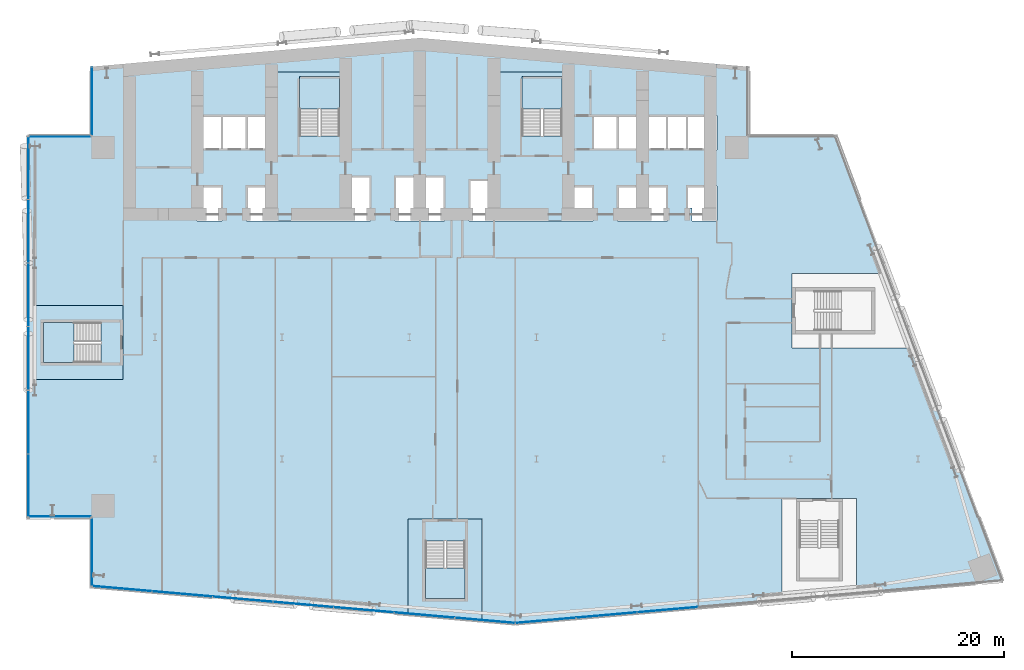
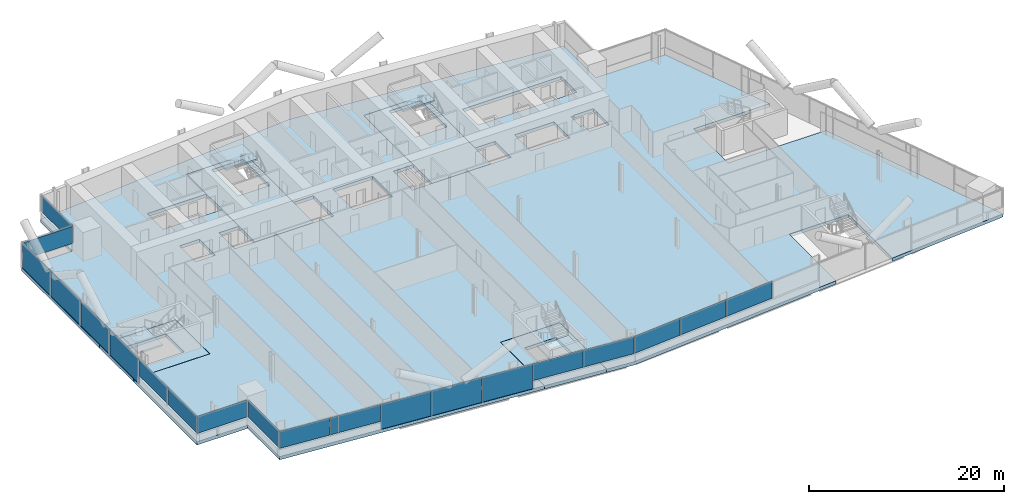
# One storey, part 11 of 25: 20 plates, 9 slabs, 11 elements without a shape of their own.
"""IFC4 building model written with IfcOpenShell, lengths in metres."""

from ifc_helpers import new_model, si_unit, direction, frame, origin, origin_2d, place, context, subcontext, project, spatial, polyline, rectangle, outline, extrude, material, layer, layer_set, type_object, element, aggregate, save


model = new_model("IFC4")

# Units and contexts
model_context = context("Model", 3, precision=1e-05, world=origin(), true_north=direction((0.0, 1.0)))
body_context = subcontext(model_context, "Body", "Model", "MODEL_VIEW")
ifc_project = project(units=[si_unit("LENGTHUNIT", "METRE"), si_unit("AREAUNIT", "SQUARE_METRE"), si_unit("VOLUMEUNIT", "CUBIC_METRE"), si_unit("PLANEANGLEUNIT", "RADIAN"), si_unit("MASSUNIT", "GRAM", prefix="KILO")], contexts=[model_context])

# Site, building, storey
site_placement = place(None, origin())
site = spatial("IfcSite", under=ifc_project, at=site_placement, CompositionType="ELEMENT")
building_placement = place(site_placement, origin())
building = spatial("IfcBuilding", under=site, at=building_placement, Name="Wharfspan Tower", CompositionType="ELEMENT")
storey_placement = place(building_placement, frame((0.0, 0.0, 70.300049)))
storey = spatial("IfcBuildingStorey", under=building, at=storey_placement, Name="L14", CompositionType="ELEMENT", Elevation=70.300049)

# Curtain wall, plates
ifc_material_1 = material(Name="Aluminium 6063-T6", Category="aluminium")
curtain_wall_type_1 = type_object("IfcCurtainWallType", Name="CURTAIN WALL FACETED FRONT", PredefinedType="NOTDEFINED", material=ifc_material_1)
curtain_wall_1_placement = place(storey_placement, origin())
curtain_wall_1 = element("IfcCurtainWall", 1, at=curtain_wall_1_placement, inside=storey, type_object=curtain_wall_type_1, Name="Curtain wall S1", PredefinedType="NOTDEFINED")
ifc_material_2 = material(Name="Glass clear low-iron double glazing", Category="glass")
ifc_layer_1 = layer(ifc_material_2, 0.040039)
ifc_layer_set_1 = layer_set([ifc_layer_1], Name="Glass clear low-iron double glazing")
plate_type_1 = type_object("IfcPlateType", Name="GLASS PANEL FACETED FRONT 40", PredefinedType="CURTAIN_PANEL", material=ifc_layer_set_1)
plate_1_placement = place(storey_placement, frame((8.877197, -0.716553, 1.0), z_axis=(0.0, 0.0, 1.0), x_axis=(0.996197, -0.087156, 0.0)))
plate_1 = element("IfcPlate", 2, at=plate_1_placement, type_object=plate_type_1, Name="Curtain wall S1 panel 1", PredefinedType="CURTAIN_PANEL", context=body_context, shape_type="SweptSolid", body=[
    extrude(rectangle(XDim=5.645996, YDim=0.040039, at=origin_2d()), origin(), (0.0, 0.0, 1.0), 2.120117),
])
plate_2_placement = place(storey_placement, frame((14.57666, -1.215088, 1.0), z_axis=(0.0, 0.0, 1.0), x_axis=(0.996197, -0.087156, 0.0)))
plate_2 = element("IfcPlate", 3, at=plate_2_placement, type_object=plate_type_1, Name="Curtain wall S1 panel 2", PredefinedType="CURTAIN_PANEL", context=body_context, shape_type="SweptSolid", body=[
    extrude(rectangle(XDim=5.676025, YDim=0.040039, at=origin_2d()), origin(), (0.0, 0.0, 1.0), 2.120117),
])
plate_3_placement = place(storey_placement, frame((37.433838, -3.214844, 1.0), z_axis=(0.0, 0.0, 1.0), x_axis=(0.996197, -0.087156, 0.0)))
plate_3 = element("IfcPlate", 4, at=plate_3_placement, type_object=plate_type_1, Name="Curtain wall S1 panel 6", PredefinedType="CURTAIN_PANEL", context=body_context, shape_type="SweptSolid", body=[
    extrude(rectangle(XDim=5.676025, YDim=0.040039, at=origin_2d()), origin(), (0.0, 0.0, 1.0), 2.120117),
])
plate_4_placement = place(storey_placement, frame((43.133057, -3.713379, 1.0), z_axis=(0.0, 0.0, 1.0), x_axis=(0.996197, -0.087156, 0.0)))
plate_4 = element("IfcPlate", 5, at=plate_4_placement, type_object=plate_type_1, Name="Curtain wall S1 panel 7", PredefinedType="CURTAIN_PANEL", context=body_context, shape_type="SweptSolid", body=[
    extrude(rectangle(XDim=5.645996, YDim=0.040039, at=origin_2d()), origin(), (0.0, 0.0, 1.0), 2.120117),
])

curtain_wall_2_placement = place(storey_placement, origin())
curtain_wall_2 = element("IfcCurtainWall", 6, at=curtain_wall_2_placement, inside=storey, type_object=curtain_wall_type_1, Name="Curtain wall S2", PredefinedType="NOTDEFINED")
plate_5_placement = place(storey_placement, frame((48.884766, -3.711914, 1.0), z_axis=(0.0, 0.0, 1.0), x_axis=(0.996197, 0.087156, 0.0)))
plate_5 = element("IfcPlate", 7, at=plate_5_placement, type_object=plate_type_1, Name="Curtain wall S2 panel 1", PredefinedType="CURTAIN_PANEL", context=body_context, shape_type="SweptSolid", body=[
    extrude(rectangle(XDim=5.681885, YDim=0.040039, at=origin_2d()), origin(), (0.0, 0.0, 1.0), 2.120117),
])
plate_6_placement = place(storey_placement, frame((54.619873, -3.210205, 1.0), z_axis=(0.0, 0.0, 1.0), x_axis=(0.996197, 0.087156, 0.0)))
plate_6 = element("IfcPlate", 8, at=plate_6_placement, type_object=plate_type_1, Name="Curtain wall S2 panel 2", PredefinedType="CURTAIN_PANEL", context=body_context, shape_type="SweptSolid", body=[
    extrude(rectangle(XDim=5.711914, YDim=0.040039, at=origin_2d()), origin(), (0.0, 0.0, 1.0), 2.120117),
])
plate_7_placement = place(storey_placement, frame((60.369873, -2.707031, 1.0), z_axis=(0.0, 0.0, 1.0), x_axis=(0.996197, 0.087156, 0.0)))
plate_7 = element("IfcPlate", 9, at=plate_7_placement, type_object=plate_type_1, Name="Curtain wall S2 panel 3", PredefinedType="CURTAIN_PANEL", context=body_context, shape_type="SweptSolid", body=[
    extrude(rectangle(XDim=5.711914, YDim=0.040039, at=origin_2d()), origin(), (0.0, 0.0, 1.0), 2.120117),
])
aggregate(curtain_wall_2, [plate_5, plate_6, plate_7])

# Curtain wall, plate
curtain_wall_type_2 = type_object("IfcCurtainWallType", Name="CURTAIN WALL PROW AND END", PredefinedType="NOTDEFINED", material=ifc_material_1)
curtain_wall_3_placement = place(storey_placement, origin())
curtain_wall_3 = element("IfcCurtainWall", 10, at=curtain_wall_3_placement, inside=storey, type_object=curtain_wall_type_2, Name="Curtain wall NRW-V", PredefinedType="NOTDEFINED")
ifc_layer_2 = layer(ifc_material_2, 0.040039)
ifc_layer_set_2 = layer_set([ifc_layer_2], Name="Glass clear low-iron double glazing")
plate_type_2 = type_object("IfcPlateType", Name="GLASS PANEL PROW AND END 40", PredefinedType="CURTAIN_PANEL", material=ifc_layer_set_2)
plate_8_placement = place(storey_placement, frame((6.080078, 45.262451, 1.0), z_axis=(0.0, 0.0, 1.0), x_axis=(0.0, -1.0, 0.0)))
plate_8 = element("IfcPlate", 11, at=plate_8_placement, type_object=plate_type_2, Name="Curtain wall NRW-V panel 1", PredefinedType="CURTAIN_PANEL", context=body_context, shape_type="SweptSolid", body=[
    extrude(rectangle(XDim=6.405029, YDim=0.040039, at=origin_2d()), origin(), (0.0, 0.0, 1.0), 2.120117),
])
aggregate(curtain_wall_3, [plate_8])

curtain_wall_4_placement = place(storey_placement, origin())
curtain_wall_4 = element("IfcCurtainWall", 12, at=curtain_wall_4_placement, inside=storey, type_object=curtain_wall_type_2, Name="Curtain wall NRW-H", PredefinedType="NOTDEFINED")
plate_9_placement = place(storey_placement, frame((3.0, 41.919922, 1.0), z_axis=(0.0, 0.0, 1.0), x_axis=(-1.0, 0.0, 0.0)))
plate_9 = element("IfcPlate", 13, at=plate_9_placement, type_object=plate_type_2, Name="Curtain wall NRW-H panel 1", PredefinedType="CURTAIN_PANEL", context=body_context, shape_type="SweptSolid", body=[
    extrude(rectangle(XDim=5.879883, YDim=0.040039, at=origin_2d()), origin(), (0.0, 0.0, 1.0), 2.120117),
])
aggregate(curtain_wall_4, [plate_9])

# Curtain wall, plates
curtain_wall_5_placement = place(storey_placement, origin())
curtain_wall_5 = element("IfcCurtainWall", 14, at=curtain_wall_5_placement, inside=storey, type_object=curtain_wall_type_2, Name="Curtain wall W", PredefinedType="NOTDEFINED")
plate_10_placement = place(storey_placement, frame((0.080078, 15.0, 1.0), z_axis=(0.0, 0.0, 1.0), x_axis=(0.0, -1.0, 0.0)))
plate_10 = element("IfcPlate", 15, at=plate_10_placement, type_object=plate_type_2, Name="Curtain wall W panel 5", PredefinedType="CURTAIN_PANEL", context=body_context, shape_type="SweptSolid", body=[
    extrude(rectangle(XDim=5.939941, YDim=0.040039, at=origin_2d()), origin(), (0.0, 0.0, 1.0), 2.120117),
])
plate_11_placement = place(storey_placement, frame((0.080078, 9.014893, 1.0), z_axis=(0.0, 0.0, 1.0), x_axis=(0.0, -1.0, 0.0)))
plate_11 = element("IfcPlate", 16, at=plate_11_placement, type_object=plate_type_2, Name="Curtain wall W panel 6", PredefinedType="CURTAIN_PANEL", context=body_context, shape_type="SweptSolid", body=[
    extrude(rectangle(XDim=5.909912, YDim=0.040039, at=origin_2d()), origin(), (0.0, 0.0, 1.0), 2.120117),
])

# Curtain wall, plate
curtain_wall_6_placement = place(storey_placement, origin())
curtain_wall_6 = element("IfcCurtainWall", 17, at=curtain_wall_6_placement, inside=storey, type_object=curtain_wall_type_2, Name="Curtain wall NFW-H", PredefinedType="NOTDEFINED")
plate_12_placement = place(storey_placement, frame((3.0, 6.080078, 1.0), z_axis=(0.0, 0.0, 1.0), x_axis=(1.0, 0.0, 0.0)))
plate_12 = element("IfcPlate", 18, at=plate_12_placement, type_object=plate_type_2, Name="Curtain wall NFW-H panel 1", PredefinedType="CURTAIN_PANEL", context=body_context, shape_type="SweptSolid", body=[
    extrude(rectangle(XDim=5.879883, YDim=0.040039, at=origin_2d()), origin(), (0.0, 0.0, 1.0), 2.120117),
])
aggregate(curtain_wall_6, [plate_12])

curtain_wall_7_placement = place(storey_placement, origin())
curtain_wall_7 = element("IfcCurtainWall", 19, at=curtain_wall_7_placement, inside=storey, type_object=curtain_wall_type_2, Name="Curtain wall NFW-V", PredefinedType="NOTDEFINED")
plate_13_placement = place(storey_placement, frame((6.080078, 2.737549, 1.0), z_axis=(0.0, 0.0, 1.0), x_axis=(0.0, -1.0, 0.0)))
plate_13 = element("IfcPlate", 20, at=plate_13_placement, type_object=plate_type_2, Name="Curtain wall NFW-V panel 1", PredefinedType="CURTAIN_PANEL", context=body_context, shape_type="SweptSolid", body=[
    extrude(rectangle(XDim=6.405029, YDim=0.040039, at=origin_2d()), origin(), (0.0, 0.0, 1.0), 2.120117),
])
aggregate(curtain_wall_7, [plate_13])

# Plate
ifc_material_3 = material(Name="Aluminium composite opaque insulated panel", Category="aluminium")
ifc_layer_3 = layer(ifc_material_3, 0.040039)
ifc_layer_set_3 = layer_set([ifc_layer_3], Name="Aluminium composite opaque insulated panel")
plate_type_3 = type_object("IfcPlateType", Name="INFILL PANEL FACETED FRONT OPAQUE 40", PredefinedType="SHEET", material=ifc_layer_set_3)
plate_14_placement = place(storey_placement, frame((20.291016, -1.715088, 0.0), z_axis=(0.0, 0.0, 1.0), x_axis=(0.996197, -0.087156, 0.0)))
plate_14 = element("IfcPlate", 21, at=plate_14_placement, type_object=plate_type_3, Name="Curtain wall S1 panel 3", PredefinedType="SHEET", context=body_context, shape_type="SweptSolid", body=[
    extrude(rectangle(XDim=5.676025, YDim=0.040039, at=origin_2d()), origin(), (0.0, 0.0, 1.0), 3.120117),
])

plate_15_placement = place(storey_placement, frame((26.005127, -2.214844, 0.0), z_axis=(0.0, 0.0, 1.0), x_axis=(0.996197, -0.087156, 0.0)))
plate_15 = element("IfcPlate", 22, at=plate_15_placement, type_object=plate_type_3, Name="Curtain wall S1 panel 4", PredefinedType="SHEET", context=body_context, shape_type="SweptSolid", body=[
    extrude(rectangle(XDim=5.676025, YDim=0.040039, at=origin_2d()), origin(), (0.0, 0.0, 1.0), 3.120117),
])

plate_16_placement = place(storey_placement, frame((31.719482, -2.714844, 0.0), z_axis=(0.0, 0.0, 1.0), x_axis=(0.996197, -0.087156, 0.0)))
plate_16 = element("IfcPlate", 23, at=plate_16_placement, type_object=plate_type_3, Name="Curtain wall S1 panel 5", PredefinedType="SHEET", context=body_context, shape_type="SweptSolid", body=[
    extrude(rectangle(XDim=5.676025, YDim=0.040039, at=origin_2d()), origin(), (0.0, 0.0, 1.0), 3.120117),
])

aggregate(curtain_wall_1, [plate_1, plate_2, plate_14, plate_15, plate_16, plate_3, plate_4])

ifc_layer_4 = layer(ifc_material_3, 0.040039)
ifc_layer_set_4 = layer_set([ifc_layer_4], Name="Aluminium composite opaque insulated panel")
plate_type_4 = type_object("IfcPlateType", Name="INFILL PANEL PROW AND END OPAQUE 40", PredefinedType="SHEET", material=ifc_layer_set_4)
plate_17_placement = place(storey_placement, frame((0.080078, 38.985107, 0.0), z_axis=(0.0, 0.0, 1.0), x_axis=(0.0, -1.0, 0.0)))
plate_17 = element("IfcPlate", 24, at=plate_17_placement, type_object=plate_type_4, Name="Curtain wall W panel 1", PredefinedType="SHEET", context=body_context, shape_type="SweptSolid", body=[
    extrude(rectangle(XDim=5.909912, YDim=0.040039, at=origin_2d()), origin(), (0.0, 0.0, 1.0), 3.120117),
])

plate_18_placement = place(storey_placement, frame((0.080078, 33.0, 0.0), z_axis=(0.0, 0.0, 1.0), x_axis=(0.0, -1.0, 0.0)))
plate_18 = element("IfcPlate", 25, at=plate_18_placement, type_object=plate_type_4, Name="Curtain wall W panel 2", PredefinedType="SHEET", context=body_context, shape_type="SweptSolid", body=[
    extrude(rectangle(XDim=5.939941, YDim=0.040039, at=origin_2d()), origin(), (0.0, 0.0, 1.0), 3.120117),
])

plate_19_placement = place(storey_placement, frame((0.080078, 27.0, 0.0), z_axis=(0.0, 0.0, 1.0), x_axis=(0.0, -1.0, 0.0)))
plate_19 = element("IfcPlate", 26, at=plate_19_placement, type_object=plate_type_4, Name="Curtain wall W panel 3", PredefinedType="SHEET", context=body_context, shape_type="SweptSolid", body=[
    extrude(rectangle(XDim=5.939941, YDim=0.040039, at=origin_2d()), origin(), (0.0, 0.0, 1.0), 3.120117),
])

plate_20_placement = place(storey_placement, frame((0.080078, 21.0, 0.0), z_axis=(0.0, 0.0, 1.0), x_axis=(0.0, -1.0, 0.0)))
plate_20 = element("IfcPlate", 27, at=plate_20_placement, type_object=plate_type_4, Name="Curtain wall W panel 4", PredefinedType="SHEET", context=body_context, shape_type="SweptSolid", body=[
    extrude(rectangle(XDim=5.939941, YDim=0.040039, at=origin_2d()), origin(), (0.0, 0.0, 1.0), 3.120117),
])

aggregate(curtain_wall_5, [plate_17, plate_18, plate_19, plate_20, plate_10, plate_11])

# Slabs
ifc_material_4 = material(Name="Concrete C40/50", Category="concrete")
ifc_layer_5 = layer(ifc_material_4, 0.399902)
ifc_layer_set_5 = layer_set([ifc_layer_5], Name="Concrete C40/50")
slab_type_1 = type_object("IfcSlabType", Name="Post-tensioned flat slab 400", PredefinedType="FLOOR", material=ifc_layer_set_5)
slab_1_placement = place(storey_placement, frame((0.0, 0.0, -0.400146)))
element("IfcSlab", 28, at=slab_1_placement, inside=storey, type_object=slab_type_1, Name="Floor slab L14", PredefinedType="FLOOR", context=body_context, shape_type="SweptSolid", body=[
    extrude(outline(polyline([(35.873291, -3.138428), (35.873291, 5.870605), (42.893311, 5.870605), (42.893311, -3.752686), (46.0, -4.024414), (71.182617, -1.821289), (71.182617, 7.802002), (78.202393, 7.802002), (78.202393, -1.207031), (92.0, 0.0), (83.753662, 21.98999), (72.11499, 21.98999), (72.11499, 29.01001), (81.121338, 29.01001), (76.25, 42.0), (68.0, 42.0), (68.0, 48.524902), (37.0, 51.237061), (6.0, 48.524902), (6.0, 42.0), (0.0, 42.0), (0.0, 26.01001), (9.01001, 26.01001), (9.01001, 18.98999), (0.0, 18.98999), (0.0, 6.0), (6.0, 6.0), (6.0, -0.524902), (35.873291, -3.138428)]), holes=[polyline([(62.290039, 37.159912), (62.656738, 37.159912), (62.656738, 37.26001), (65.01001, 37.26001), (65.01001, 33.98999), (62.656738, 33.98999), (62.656738, 35.189941), (62.290039, 35.189941), (62.290039, 37.159912)]), polyline([(65.01001, 43.909912), (65.01001, 40.689941), (53.323242, 40.689941), (53.323242, 43.909912), (65.01001, 43.909912)]), polyline([(55.656738, 33.98999), (55.656738, 37.26001), (60.343262, 37.26001), (60.343262, 33.98999), (55.656738, 33.98999)]), polyline([(43.98999, 37.860107), (43.98999, 48.01001), (51.01001, 48.01001), (51.01001, 37.26001), (53.343262, 37.26001), (53.343262, 33.98999), (41.656738, 33.98999), (41.656738, 37.860107), (43.98999, 37.860107)]), polyline([(34.656738, 33.98999), (34.656738, 38.159912), (39.343262, 38.159912), (39.343262, 33.98999), (34.656738, 33.98999)]), polyline([(15.98999, 40.689941), (15.98999, 43.909912), (20.656738, 43.909912), (20.676758, 43.909912), (22.98999, 43.909912), (22.98999, 48.01001), (30.01001, 48.01001), (30.01001, 38.159912), (32.343262, 38.159912), (32.343262, 33.98999), (20.656738, 33.98999), (20.656738, 37.26001), (22.98999, 37.26001), (22.98999, 40.689941), (20.676758, 40.689941), (20.656738, 40.689941), (15.98999, 40.689941)]), polyline([(18.343262, 37.26001), (18.343262, 33.98999), (15.98999, 33.98999), (15.98999, 37.26001), (18.343262, 37.26001)])]), origin(), (0.0, 0.0, 1.0), 0.400146),
])
slab_2_placement = place(storey_placement, frame((0.0, 0.0, -0.400146)))
element("IfcSlab", 29, at=slab_2_placement, inside=storey, type_object=slab_type_1, Name="Core floor slab L14 part 1", PredefinedType="FLOOR", context=body_context, shape_type="SweptSolid", body=[
    extrude(outline(polyline([(9.0, 20.324951), (9.0, 24.675049), (9.0, 26.0), (0.0, 26.0), (0.0, 19.0), (9.0, 19.0), (9.0, 20.324951)]), holes=[polyline([(6.9021, 20.625), (6.9021, 20.624756), (6.9021, 20.624512), (6.901855, 20.624512), (6.901855, 20.624268), (6.901855, 20.624023), (6.901611, 20.623779), (6.901611, 20.623779), (6.901367, 20.623535), (6.901367, 20.623535), (6.901123, 20.623291), (6.900879, 20.623291), (6.900879, 20.623291), (6.900635, 20.623047), (6.900391, 20.623047), (6.900146, 20.623047), (6.899902, 20.623047), (1.5, 20.623047), (1.499756, 20.623047), (1.499512, 20.623047), (1.499512, 20.623047), (1.499268, 20.623291), (1.499023, 20.623291), (1.498779, 20.623291), (1.498779, 20.623535), (1.498535, 20.623535), (1.498535, 20.623779), (1.498291, 20.623779), (1.498291, 20.624023), (1.498291, 20.624268), (1.498047, 20.624512), (1.498047, 20.624512), (1.498047, 20.624756), (1.498047, 20.625), (1.498047, 24.375), (1.498047, 24.375244), (1.498047, 24.375488), (1.498047, 24.375488), (1.498291, 24.375732), (1.498291, 24.375977), (1.498291, 24.376221), (1.498535, 24.376221), (1.498535, 24.376465), (1.498779, 24.376465), (1.498779, 24.376709), (1.499023, 24.376709), (1.499268, 24.376709), (1.499512, 24.376953), (1.499512, 24.376953), (1.499756, 24.376953), (1.5, 24.376953), (6.899902, 24.376953), (6.900146, 24.376953), (6.900391, 24.376953), (6.900635, 24.376953), (6.900879, 24.376709), (6.900879, 24.376709), (6.901123, 24.376709), (6.901367, 24.376465), (6.901367, 24.376465), (6.901611, 24.376221), (6.901611, 24.376221), (6.901855, 24.375977), (6.901855, 24.375732), (6.901855, 24.375488), (6.9021, 24.375488), (6.9021, 24.375244), (6.9021, 24.375), (6.9021, 20.625)])]), origin(), (0.0, 0.0, 1.0), 0.400146),
])
slab_3_placement = place(storey_placement, frame((0.0, 0.0, -0.400146)))
element("IfcSlab", 30, at=slab_3_placement, inside=storey, type_object=slab_type_1, Name="Core floor slab L14 part 2", PredefinedType="FLOOR", context=body_context, shape_type="SweptSolid", body=[
    extrude(outline(polyline([(20.664795, 34.0), (20.664795, 37.25), (20.664795, 37.250244), (20.664795, 37.250488), (20.664795, 37.250488), (20.664795, 37.250732), (20.664795, 37.250977), (20.665039, 37.251221), (20.665039, 37.251221), (20.665283, 37.251465), (20.665283, 37.251465), (20.665527, 37.251709), (20.665771, 37.251709), (20.666016, 37.251709), (20.666016, 37.251953), (20.66626, 37.251953), (20.666504, 37.251953), (20.666748, 37.251953), (23.0, 37.251953), (23.000244, 37.251953), (23.000488, 37.251953), (23.000488, 37.251953), (23.000732, 37.251709), (23.000977, 37.251709), (23.001221, 37.251709), (23.001221, 37.251465), (23.001465, 37.251465), (23.001465, 37.251221), (23.001709, 37.251221), (23.001709, 37.250977), (23.001709, 37.250732), (23.001953, 37.250488), (23.001953, 37.250488), (23.001953, 37.250244), (23.001953, 37.25), (23.001953, 34.0), (29.998047, 34.0), (29.998047, 38.149902), (29.998047, 38.150146), (29.998047, 38.150391), (29.998047, 38.150635), (29.998291, 38.150879), (29.998291, 38.150879), (29.998291, 38.151123), (29.998535, 38.151367), (29.998535, 38.151367), (29.998779, 38.151611), (29.998779, 38.151611), (29.999023, 38.151855), (29.999268, 38.151855), (29.999512, 38.151855), (29.999512, 38.1521), (29.999756, 38.1521), (30.0, 38.1521), (32.333252, 38.1521), (32.333496, 38.1521), (32.33374, 38.1521), (32.333984, 38.151855), (32.333984, 38.151855), (32.334229, 38.151855), (32.334473, 38.151611), (32.334717, 38.151611), (32.334717, 38.151367), (32.334961, 38.151367), (32.334961, 38.151123), (32.335205, 38.150879), (32.335205, 38.150879), (32.335205, 38.150635), (32.335205, 38.150391), (32.335205, 38.150146), (32.335205, 38.149902), (32.335205, 34.0), (32.341309, 34.0), (32.341309, 38.157959), (30.01001, 38.157959), (30.009766, 38.157959), (30.009521, 38.157959), (30.009521, 38.158203), (30.009277, 38.158203), (30.009033, 38.158203), (30.008789, 38.158203), (30.008789, 38.158447), (30.008545, 38.158691), (30.008545, 38.158691), (30.008301, 38.158936), (30.008301, 38.15918), (30.008301, 38.15918), (30.008057, 38.159424), (30.008057, 38.159668), (30.008057, 38.159912), (30.008057, 38.159912), (30.008057, 48.008057), (22.991943, 48.008057), (22.991943, 43.909912), (22.991943, 43.909912), (22.991943, 43.909668), (22.991943, 43.909424), (22.991699, 43.90918), (22.991699, 43.90918), (22.991699, 43.908936), (22.991455, 43.908691), (22.991455, 43.908691), (22.991211, 43.908447), (22.991211, 43.908203), (22.990967, 43.908203), (22.990723, 43.908203), (22.990479, 43.908203), (22.990479, 43.907959), (22.990234, 43.907959), (22.98999, 43.907959), (15.991943, 43.907959), (15.991943, 40.691895), (22.98999, 40.691895), (22.990234, 40.691895), (22.990479, 40.691895), (22.990479, 40.691895), (22.990723, 40.691895), (22.990967, 40.691895), (22.991211, 40.69165), (22.991211, 40.691406), (22.991455, 40.691406), (22.991455, 40.691406), (22.991699, 40.691162), (22.991699, 40.690918), (22.991699, 40.690918), (22.991943, 40.690674), (22.991943, 40.69043), (22.991943, 40.690186), (22.991943, 40.689941), (22.991943, 37.26001), (22.991943, 37.259766), (22.991943, 37.259521), (22.991943, 37.259521), (22.991699, 37.259277), (22.991699, 37.259033), (22.991699, 37.258789), (22.991455, 37.258789), (22.991455, 37.258545), (22.991211, 37.258545), (22.991211, 37.258301), (22.990967, 37.258301), (22.990723, 37.258301), (22.990479, 37.258057), (22.990479, 37.258057), (22.990234, 37.258057), (22.98999, 37.258057), (20.658691, 37.258057), (20.658691, 34.0), (20.664795, 34.0)]), holes=[polyline([(29.4021, 42.0), (29.4021, 41.999756), (29.4021, 41.999512), (29.401855, 41.999512), (29.401855, 41.999268), (29.401855, 41.999023), (29.401611, 41.998779), (29.401611, 41.998779), (29.401367, 41.998535), (29.401367, 41.998535), (29.401123, 41.998291), (29.400879, 41.998291), (29.400879, 41.998291), (29.400635, 41.998047), (29.400391, 41.998047), (29.400146, 41.998047), (29.399902, 41.998047), (25.649902, 41.998047), (25.649902, 41.998047), (25.649658, 41.998047), (25.649414, 41.998047), (25.64917, 41.998291), (25.64917, 41.998291), (25.648926, 41.998291), (25.648682, 41.998535), (25.648682, 41.998535), (25.648438, 41.998779), (25.648193, 41.998779), (25.648193, 41.999023), (25.648193, 41.999268), (25.648193, 41.999512), (25.647949, 41.999512), (25.647949, 41.999756), (25.647949, 42.0), (25.647949, 47.399902), (25.647949, 47.400146), (25.647949, 47.400391), (25.648193, 47.400635), (25.648193, 47.400879), (25.648193, 47.400879), (25.648193, 47.401123), (25.648438, 47.401367), (25.648682, 47.401367), (25.648682, 47.401611), (25.648926, 47.401611), (25.64917, 47.401855), (25.64917, 47.401855), (25.649414, 47.401855), (25.649658, 47.4021), (25.649902, 47.4021), (25.649902, 47.4021), (29.399902, 47.4021), (29.400146, 47.4021), (29.400391, 47.4021), (29.400635, 47.401855), (29.400879, 47.401855), (29.400879, 47.401855), (29.401123, 47.401611), (29.401367, 47.401611), (29.401367, 47.401367), (29.401611, 47.401367), (29.401611, 47.401123), (29.401855, 47.400879), (29.401855, 47.400879), (29.401855, 47.400635), (29.4021, 47.400391), (29.4021, 47.400146), (29.4021, 47.399902), (29.4021, 42.0)]), polyline([(16.0, 40.697998), (15.999756, 40.697998), (15.999512, 40.697998), (15.999512, 40.697998), (15.999268, 40.698242), (15.999023, 40.698242), (15.998779, 40.698242), (15.998779, 40.698486), (15.998535, 40.698486), (15.998535, 40.69873), (15.998291, 40.698975), (15.998291, 40.699219), (15.998291, 40.699219), (15.998047, 40.699463), (15.998047, 40.699707), (15.998047, 40.699707), (15.998047, 40.699951), (15.998047, 43.899902), (15.998047, 43.900146), (15.998047, 43.900391), (15.998047, 43.900635), (15.998291, 43.900879), (15.998291, 43.900879), (15.998291, 43.901123), (15.998535, 43.901367), (15.998535, 43.901367), (15.998779, 43.901611), (15.998779, 43.901611), (15.999023, 43.901855), (15.999268, 43.901855), (15.999512, 43.901855), (15.999512, 43.9021), (15.999756, 43.9021), (16.0, 43.9021), (20.666748, 43.9021), (20.666748, 43.9021), (23.0, 43.9021), (23.000244, 43.9021), (23.000488, 43.9021), (23.000488, 43.901855), (23.000732, 43.901855), (23.000977, 43.901855), (23.001221, 43.901611), (23.001221, 43.901611), (23.001465, 43.901367), (23.001465, 43.901367), (23.001709, 43.901123), (23.001709, 43.900879), (23.001709, 43.900879), (23.001953, 43.900635), (23.001953, 43.900391), (23.001953, 43.900146), (23.001953, 43.899902), (23.001953, 40.699951), (23.001953, 40.699707), (23.001953, 40.699707), (23.001953, 40.699463), (23.001709, 40.699219), (23.001709, 40.699219), (23.001709, 40.698975), (23.001465, 40.69873), (23.001465, 40.698486), (23.001221, 40.698486), (23.001221, 40.698242), (23.000977, 40.698242), (23.000732, 40.698242), (23.000488, 40.697998), (23.000488, 40.697998), (23.000244, 40.697998), (23.0, 40.697998), (20.666748, 40.697998), (20.666748, 40.697998), (16.0, 40.697998)])]), origin(), (0.0, 0.0, 1.0), 0.400146),
])
slab_4_placement = place(storey_placement, frame((0.0, 0.0, -0.400146)))
element("IfcSlab", 31, at=slab_4_placement, inside=storey, type_object=slab_type_1, Name="Core floor slab L14 part 3", PredefinedType="FLOOR", context=body_context, shape_type="SweptSolid", body=[
    extrude(outline(polyline([(41.55835, 5.860596), (37.208252, 5.860596), (35.883301, 5.860596), (35.883301, -3.139404), (42.883301, -3.751709), (42.883301, 5.860596), (41.55835, 5.860596)]), holes=[polyline([(37.506348, 3.760498), (37.506348, 3.760742), (37.506348, 3.760986), (37.506348, 3.76123), (37.506592, 3.761475), (37.506592, 3.761719), (37.506592, 3.761719), (37.506836, 3.761963), (37.506836, 3.761963), (37.50708, 3.762207), (37.50708, 3.762207), (37.507324, 3.762451), (37.507568, 3.762451), (37.507812, 3.762451), (37.507812, 3.762695), (37.508057, 3.762695), (37.508301, 3.762695), (41.258301, 3.762695), (41.258545, 3.762695), (41.258789, 3.762695), (41.258789, 3.762451), (41.259033, 3.762451), (41.259277, 3.762451), (41.259521, 3.762207), (41.259521, 3.762207), (41.259766, 3.761963), (41.26001, 3.761963), (41.26001, 3.761719), (41.26001, 3.761719), (41.260254, 3.761475), (41.260254, 3.76123), (41.260254, 3.760986), (41.260254, 3.760742), (41.260254, 3.760498), (41.260254, -1.639404), (41.260254, -1.639648), (41.260254, -1.639893), (41.260254, -1.639893), (41.260254, -1.640137), (41.26001, -1.640381), (41.26001, -1.640381), (41.26001, -1.640625), (41.259766, -1.640869), (41.259521, -1.640869), (41.259521, -1.641113), (41.259277, -1.641113), (41.259033, -1.641113), (41.258789, -1.641357), (41.258789, -1.641357), (41.258545, -1.641357), (41.258301, -1.641357), (37.508301, -1.641357), (37.508057, -1.641357), (37.507812, -1.641357), (37.507812, -1.641357), (37.507568, -1.641113), (37.507324, -1.641113), (37.50708, -1.641113), (37.50708, -1.640869), (37.506836, -1.640869), (37.506836, -1.640625), (37.506592, -1.640381), (37.506592, -1.640381), (37.506592, -1.640137), (37.506348, -1.639893), (37.506348, -1.639893), (37.506348, -1.639648), (37.506348, -1.639404), (37.506348, 3.760498)])]), origin(), (0.0, 0.0, 1.0), 0.400146),
])
slab_5_placement = place(storey_placement, frame((0.0, 0.0, -0.400146)))
element("IfcSlab", 32, at=slab_5_placement, inside=storey, type_object=slab_type_1, Name="Core floor slab L14 part 4", PredefinedType="FLOOR", context=body_context, shape_type="SweptSolid", body=[
    extrude(outline(polyline([(53.341309, 34.0), (53.341309, 37.258057), (51.01001, 37.258057), (51.009766, 37.258057), (51.009521, 37.258057), (51.009521, 37.258057), (51.009277, 37.258301), (51.009033, 37.258301), (51.008789, 37.258301), (51.008789, 37.258545), (51.008545, 37.258545), (51.008545, 37.258789), (51.008301, 37.258789), (51.008301, 37.259033), (51.008301, 37.259277), (51.008057, 37.259521), (51.008057, 37.259521), (51.008057, 37.259766), (51.008057, 37.26001), (51.008057, 48.008057), (43.991943, 48.008057), (43.991943, 37.860107), (43.991943, 37.859863), (43.991943, 37.859619), (43.991943, 37.859375), (43.991699, 37.859131), (43.991699, 37.859131), (43.991699, 37.858887), (43.991455, 37.858643), (43.991455, 37.858643), (43.991211, 37.858398), (43.991211, 37.858398), (43.990967, 37.858154), (43.990723, 37.858154), (43.990479, 37.858154), (43.990479, 37.85791), (43.990234, 37.85791), (43.98999, 37.85791), (41.658691, 37.85791), (41.658691, 34.0), (41.664795, 34.0), (41.664795, 37.850098), (41.664795, 37.850098), (41.664795, 37.850342), (41.664795, 37.850586), (41.664795, 37.85083), (41.664795, 37.85083), (41.665039, 37.851074), (41.665039, 37.851318), (41.665283, 37.851318), (41.665283, 37.851562), (41.665527, 37.851807), (41.665771, 37.851807), (41.666016, 37.851807), (41.666016, 37.851807), (41.66626, 37.852051), (41.666504, 37.852051), (41.666748, 37.852051), (44.0, 37.852051), (44.000244, 37.852051), (44.000488, 37.852051), (44.000488, 37.851807), (44.000732, 37.851807), (44.000977, 37.851807), (44.001221, 37.851807), (44.001221, 37.851562), (44.001465, 37.851318), (44.001465, 37.851318), (44.001709, 37.851074), (44.001709, 37.85083), (44.001709, 37.85083), (44.001953, 37.850586), (44.001953, 37.850342), (44.001953, 37.850098), (44.001953, 37.850098), (44.001953, 34.0), (50.998047, 34.0), (50.998047, 37.25), (50.998047, 37.250244), (50.998047, 37.250488), (50.998047, 37.250488), (50.998291, 37.250732), (50.998291, 37.250977), (50.998291, 37.251221), (50.998535, 37.251221), (50.998535, 37.251465), (50.998779, 37.251465), (50.998779, 37.251709), (50.999023, 37.251709), (50.999268, 37.251709), (50.999512, 37.251953), (50.999512, 37.251953), (50.999756, 37.251953), (51.0, 37.251953), (53.333252, 37.251953), (53.333496, 37.251953), (53.33374, 37.251953), (53.333984, 37.251953), (53.333984, 37.251709), (53.334229, 37.251709), (53.334473, 37.251709), (53.334717, 37.251465), (53.334717, 37.251465), (53.334961, 37.251221), (53.334961, 37.251221), (53.335205, 37.250977), (53.335205, 37.250732), (53.335205, 37.250488), (53.335205, 37.250488), (53.335205, 37.250244), (53.335205, 37.25), (53.335205, 34.0), (53.341309, 34.0)]), holes=[polyline([(46.649902, 41.998047), (46.649902, 41.998047), (46.649658, 41.998047), (46.649414, 41.998047), (46.64917, 41.998291), (46.64917, 41.998291), (46.648926, 41.998291), (46.648682, 41.998535), (46.648682, 41.998535), (46.648438, 41.998779), (46.648193, 41.998779), (46.648193, 41.999023), (46.648193, 41.999268), (46.648193, 41.999512), (46.647949, 41.999512), (46.647949, 41.999756), (46.647949, 42.0), (46.647949, 47.399902), (46.647949, 47.400146), (46.647949, 47.400391), (46.648193, 47.400635), (46.648193, 47.400879), (46.648193, 47.400879), (46.648193, 47.401123), (46.648438, 47.401367), (46.648682, 47.401367), (46.648682, 47.401611), (46.648926, 47.401611), (46.64917, 47.401855), (46.64917, 47.401855), (46.649414, 47.401855), (46.649658, 47.4021), (46.649902, 47.4021), (46.649902, 47.4021), (50.399902, 47.4021), (50.400146, 47.4021), (50.400391, 47.4021), (50.400635, 47.401855), (50.400879, 47.401855), (50.400879, 47.401855), (50.401123, 47.401611), (50.401367, 47.401611), (50.401367, 47.401367), (50.401611, 47.401367), (50.401611, 47.401123), (50.401855, 47.400879), (50.401855, 47.400879), (50.401855, 47.400635), (50.4021, 47.400391), (50.4021, 47.400146), (50.4021, 47.399902), (50.4021, 42.0), (50.4021, 41.999756), (50.4021, 41.999512), (50.401855, 41.999512), (50.401855, 41.999268), (50.401855, 41.999023), (50.401611, 41.998779), (50.401611, 41.998779), (50.401367, 41.998535), (50.401367, 41.998535), (50.401123, 41.998291), (50.400879, 41.998291), (50.400879, 41.998291), (50.400635, 41.998047), (50.400391, 41.998047), (50.400146, 41.998047), (50.399902, 41.998047), (46.649902, 41.998047)])]), origin(), (0.0, 0.0, 1.0), 0.400146),
])

# Stair, slab
stair_type = type_object("IfcStairType", Name="Half-turn stair 20 risers 180 mm", PredefinedType="HALF_TURN_STAIR", material=ifc_material_4)
stair_1_placement = place(storey_placement, origin())
stair_1 = element("IfcStair", 33, at=stair_1_placement, inside=storey, type_object=stair_type, Name="L14 stair ST1", PredefinedType="HALF_TURN_STAIR")
ifc_layer_6 = layer(ifc_material_4, 0.199951)
ifc_layer_set_6 = layer_set([ifc_layer_6], Name="Concrete C40/50")
slab_type_2 = type_object("IfcSlabType", Name="Stair landing 200", PredefinedType="LANDING", material=ifc_layer_set_6)
slab_6_placement = place(storey_placement, frame((0.0, 0.0, 1.599854)))
slab_6 = element("IfcSlab", 34, at=slab_6_placement, type_object=slab_type_2, Name="ST1 landing 1", PredefinedType="LANDING", context=body_context, shape_type="SweptSolid", body=[
    extrude(outline(polyline([(25.649902, 44.52002), (29.399902, 44.52002), (29.399902, 47.582764), (25.649902, 47.582764), (25.649902, 44.52002)])), origin(), (0.0, 0.0, 1.0), 0.200195),
])
aggregate(stair_1, [slab_6])

stair_2_placement = place(storey_placement, origin())
stair_2 = element("IfcStair", 35, at=stair_2_placement, inside=storey, type_object=stair_type, Name="L14 stair ST2", PredefinedType="HALF_TURN_STAIR")
slab_7_placement = place(storey_placement, frame((0.0, 0.0, 1.599854)))
slab_7 = element("IfcSlab", 36, at=slab_7_placement, type_object=slab_type_2, Name="ST2 landing 1", PredefinedType="LANDING", context=body_context, shape_type="SweptSolid", body=[
    extrude(outline(polyline([(46.649902, 44.52002), (50.399902, 44.52002), (50.399902, 47.582764), (46.649902, 47.582764), (46.649902, 44.52002)])), origin(), (0.0, 0.0, 1.0), 0.200195),
])
aggregate(stair_2, [slab_7])

stair_3_placement = place(storey_placement, origin())
stair_3 = element("IfcStair", 37, at=stair_3_placement, inside=storey, type_object=stair_type, Name="L14 stair ST3", PredefinedType="HALF_TURN_STAIR")
slab_8_placement = place(storey_placement, frame((0.0, 0.0, 1.599854)))
slab_8 = element("IfcSlab", 38, at=slab_8_placement, type_object=slab_type_2, Name="ST3 landing 1", PredefinedType="LANDING", context=body_context, shape_type="SweptSolid", body=[
    extrude(outline(polyline([(4.379883, 24.375), (1.5, 24.375), (1.5, 20.625), (4.379883, 20.625), (4.379883, 24.375)])), origin(), (0.0, 0.0, 1.0), 0.200195),
])
aggregate(stair_3, [slab_8])

stair_4_placement = place(storey_placement, origin())
stair_4 = element("IfcStair", 39, at=stair_4_placement, inside=storey, type_object=stair_type, Name="L14 stair ST4", PredefinedType="HALF_TURN_STAIR")
slab_9_placement = place(storey_placement, frame((0.0, 0.0, 1.599854)))
slab_9 = element("IfcSlab", 40, at=slab_9_placement, type_object=slab_type_2, Name="ST4 landing 1", PredefinedType="LANDING", context=body_context, shape_type="SweptSolid", body=[
    extrude(outline(polyline([(37.508301, 1.240723), (37.508301, -1.639404), (41.258301, -1.639404), (41.258301, 1.240723), (37.508301, 1.240723)])), origin(), (0.0, 0.0, 1.0), 0.200195),
])
aggregate(stair_4, [slab_9])

save(model, "model.ifc")
